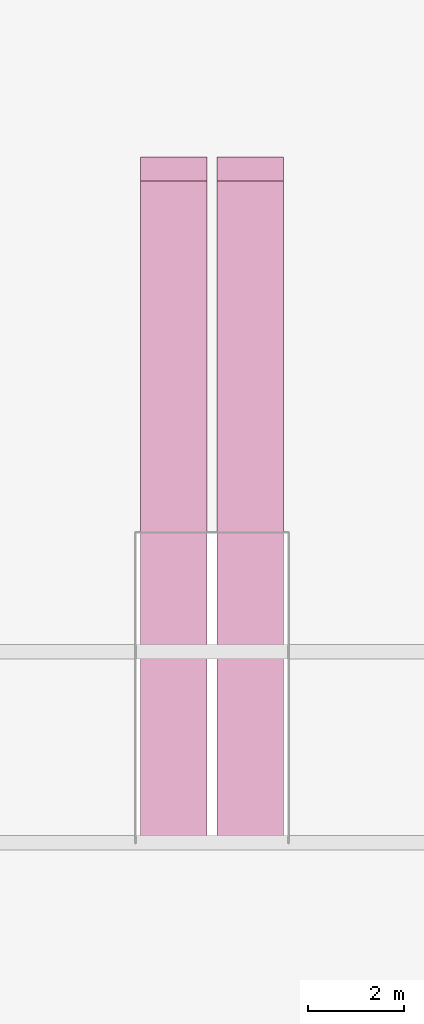
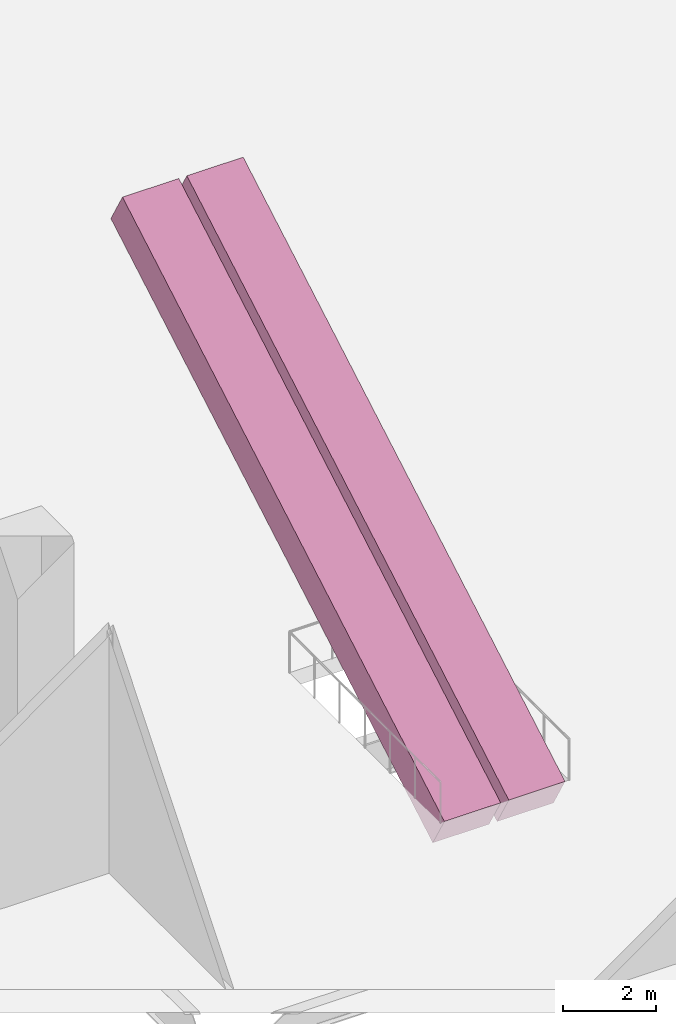
# One storey, part 27 of 27: 2 transport elements.
"""IFC4 building model written with IfcOpenShell, lengths in metres."""

from ifc_helpers import new_model, si_unit, direction, frame, origin, place, context, subcontext, project, spatial, polyline, outline, extrude, material, type_object, element, save


model = new_model("IFC4")

# Units and contexts
model_context = context("Model", 3, precision=1e-05, world=origin(), true_north=direction((0.0, 1.0)))
body_context = subcontext(model_context, "Body", "Model", "MODEL_VIEW")
ifc_project = project(units=[si_unit("LENGTHUNIT", "METRE"), si_unit("AREAUNIT", "SQUARE_METRE"), si_unit("VOLUMEUNIT", "CUBIC_METRE"), si_unit("PLANEANGLEUNIT", "RADIAN"), si_unit("MASSUNIT", "GRAM", prefix="KILO")], contexts=[model_context])

# Site, building, storey
site_placement = place(None, origin())
site = spatial("IfcSite", under=ifc_project, at=site_placement, CompositionType="ELEMENT")
building_placement = place(site_placement, origin())
building = spatial("IfcBuilding", under=site, at=building_placement, Name="Tel Ilan Convention Tower", CompositionType="ELEMENT")
storey_placement = place(building_placement, frame((0.0, 0.0, 18.0)))
storey = spatial("IfcBuildingStorey", under=building, at=storey_placement, Name="L02", CompositionType="ELEMENT", Elevation=18.0)

# Transport elements
ifc_material = material(Name="Stainless Steel Grade 316", Category="steel")
transport_element_type = type_object("IfcTransportElementType", Name="Escalator 1000 mm 30 degree", PredefinedType="ESCALATOR", material=ifc_material)
for number, where, z_axis, x_axis, name in (
    (1, (-1.5, -52.0, 0.0), (0.0, -0.49999894854, 0.866026010844), (1.0, 0.0, 0.0), "Escalator L02 to L03 up"),
    (2, (0.10009765625, -52.0, 0.0), (0.0, -0.49999894854, 0.866026010844), (1.0, 0.0, 0.0), "Escalator L02 to L03 down"),
):
    element("IfcTransportElement", number, at=place(storey_placement, frame(where, z_axis=z_axis, x_axis=x_axis)), inside=storey, type_object=transport_element_type, Name=name, PredefinedType="ESCALATOR", context=body_context, shape_type="SweptSolid", body=[
        extrude(outline(polyline([(0.0, 0.0), (1.39990234375, 0.0), (1.39990234375, 16.000033646786598), (0.0, 16.000033646786598), (0.0, 0.0)])), origin(), (0.0, 0.0, -1.0), 1.0),
    ])

save(model, "model.ifc")
